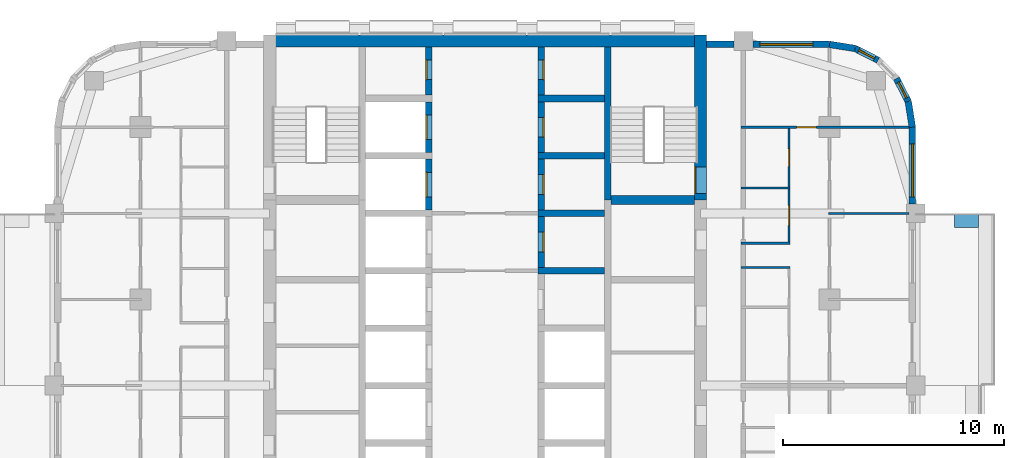
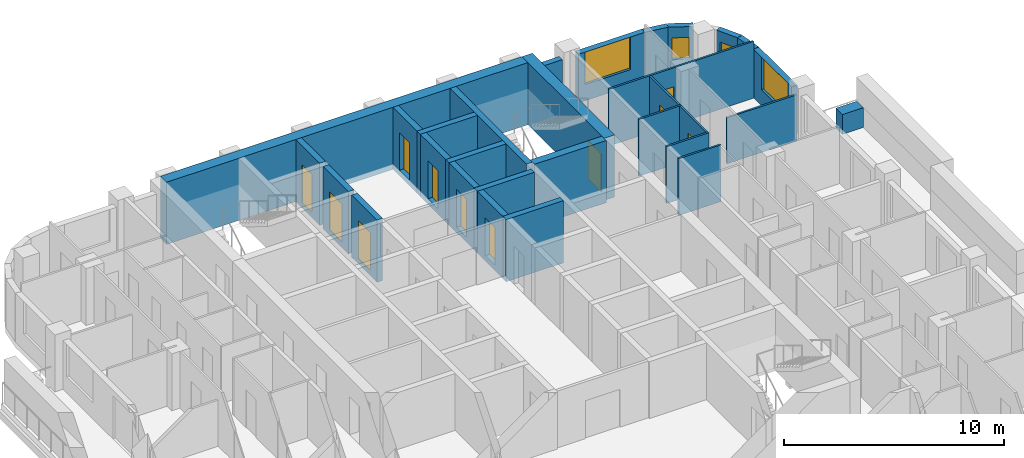
# One storey, part 9 of 14: 29 walls, 11 doors, 4 windows, 15 openings.
"""IFC4 building model written with IfcOpenShell, lengths in metres."""

import ifcopenshell
import ifcopenshell.guid

model = None  # the IFC model being written
_history = None  # IfcOwnerHistory: only IFC2X3 demands one
_inside = {}  # id of a spatial element -> (the spatial element, [elements in it])
_under = {}  # id of a project, library or spatial element -> (it, [spatial elements below it])
_declared = {}  # id of a project -> (the project, [libraries it declares])
_typed = {}  # id of a type object -> (the type object, [elements of that type])
_made_of = {}  # id of a material, layer set ... -> (it, [elements and type objects made of it])


def new_model(schema):
    """Start an empty IFC model of exactly this schema.

    Asked for "IFC4X3", IfcOpenShell would pick the latest addendum, in which some entities
    have other attributes; the version numbers below select the first issue.
    IFC2X3 requires an IfcOwnerHistory on every rooted entity: one is made here for all.
    """
    global model, _history
    if schema == "IFC4X3":
        model = ifcopenshell.file(schema_version=(4, 3, 0, 0))
    else:
        model = ifcopenshell.file(schema=schema)
    _inside.clear()
    _under.clear()
    _declared.clear()
    _typed.clear()
    _made_of.clear()
    _history = None
    if model.schema == "IFC2X3":
        org = make("IfcOrganization", Name="unknown")
        user = make(
            "IfcPersonAndOrganization",
            ThePerson=make("IfcPerson", FamilyName="unknown"),
            TheOrganization=org,
        )
        app = make(
            "IfcApplication",
            ApplicationDeveloper=org,
            Version="unknown",
            ApplicationFullName="unknown",
            ApplicationIdentifier="unknown",
        )
        _history = make(
            "IfcOwnerHistory",
            OwningUser=user,
            OwningApplication=app,
            ChangeAction="ADDED",
            CreationDate=0,
        )
    return model


def make(cls, **values):
    """One entity of the class cls with the attributes given. An attribute that is None is left unset."""
    return model.create_entity(
        cls, **{name: value for name, value in values.items() if value is not None}
    )


def rooted(cls, **values):
    """An entity with a GlobalId (a new one), such as an element, a storey or a relation."""
    return make(cls, GlobalId=ifcopenshell.guid.new(), OwnerHistory=_history, **values)


def si_unit(unit_type, name, prefix=None):
    """IfcSIUnit, for example si_unit("LENGTHUNIT", "METRE", prefix="MILLI")."""
    return make("IfcSIUnit", UnitType=unit_type, Prefix=prefix, Name=name)


def assignment(units):
    """IfcUnitAssignment: the units of a project."""
    return None if units is None else make("IfcUnitAssignment", Units=units)


def point(xyz):
    """IfcCartesianPoint."""
    return None if xyz is None else make("IfcCartesianPoint", Coordinates=xyz)


def direction(xyz):
    """IfcDirection."""
    return None if xyz is None else make("IfcDirection", DirectionRatios=xyz)


def frame(location, z_axis=None, x_axis=None):
    """IfcAxis2Placement3D, a coordinate frame: its origin and axes. An axis left out is left unset."""
    return make(
        "IfcAxis2Placement3D",
        Location=point(location),
        Axis=direction(z_axis),
        RefDirection=direction(x_axis),
    )


def frame_2d(location, x_axis=None):
    """IfcAxis2Placement2D, a coordinate frame in the plane: its origin and x axis."""
    return make(
        "IfcAxis2Placement2D", Location=point(location), RefDirection=direction(x_axis)
    )


def origin():
    """The frame at (0, 0, 0) with its axes left unset."""
    return frame((0.0, 0.0, 0.0))


def place(relative_to, where):
    """IfcLocalPlacement: puts the frame where relative to a parent placement (None: the world)."""
    return make(
        "IfcLocalPlacement", PlacementRelTo=relative_to, RelativePlacement=where
    )


def context(
    kind, dimensions, precision=None, world=None, true_north=None, identifier=None
):
    """IfcGeometricRepresentationContext, for example the 3D "Model" context."""
    return make(
        "IfcGeometricRepresentationContext",
        ContextIdentifier=identifier,
        ContextType=kind,
        CoordinateSpaceDimension=dimensions,
        Precision=precision,
        WorldCoordinateSystem=world,
        TrueNorth=true_north,
    )


def subcontext(parent, identifier, kind, view, scale=None):
    """IfcGeometricRepresentationSubContext, for example "Body" below "Model"."""
    return make(
        "IfcGeometricRepresentationSubContext",
        ContextIdentifier=identifier,
        ContextType=kind,
        ParentContext=parent,
        TargetScale=scale,
        TargetView=view,
    )


def project(units=None, contexts=None):
    """IfcProject with its units and contexts."""
    return rooted(
        "IfcProject",
        Name="project",
        RepresentationContexts=contexts,
        UnitsInContext=assignment(units),
    )


def spatial(cls, under=None, at=None, **own):
    """A site, building, storey or space (cls), placed at a placement, below another one or the project."""
    s = rooted(cls, ObjectPlacement=at, **own)
    if under is not None:
        _under.setdefault(under.id(), (under, []))[1].append(s)
    return s


def profile(cls, at=None, kind="AREA", **sizes):
    """A parametric profile (cls). Its sizes go by their IFC names, for example OverallWidth=200.0."""
    return make(cls, ProfileType=kind, Position=at, **sizes)


def rectangle(**sizes):
    """IfcRectangleProfileDef."""
    return profile("IfcRectangleProfileDef", **sizes)


def extrude(swept, where, along, depth):
    """IfcExtrudedAreaSolid: the profile swept, set in the frame where, extruded along a direction by depth."""
    return make(
        "IfcExtrudedAreaSolid",
        SweptArea=swept,
        Position=where,
        ExtrudedDirection=direction(along),
        Depth=depth,
    )


def shape(context_of_items, identifier, shape_type, items):
    """IfcShapeRepresentation: the items that make up one representation, for example the "Body"."""
    return make(
        "IfcShapeRepresentation",
        ContextOfItems=context_of_items,
        RepresentationIdentifier=identifier,
        RepresentationType=shape_type,
        Items=items,
    )


def material(Name=None, Category=None):
    """IfcMaterial."""
    return make("IfcMaterial", Name=Name, Category=Category)


def layer(
    of_material, thickness, ventilated=None, Name=None, Category=None, Priority=None
):
    """IfcMaterialLayer: one layer of a wall or slab, of a material (None: an air gap)."""
    return make(
        "IfcMaterialLayer",
        Material=of_material,
        LayerThickness=thickness,
        IsVentilated=ventilated,
        Name=Name,
        Category=Category,
        Priority=Priority,
    )


def layer_set(layers, Name=None):
    """IfcMaterialLayerSet."""
    return make("IfcMaterialLayerSet", MaterialLayers=layers, LayerSetName=Name)


def made_of(thing, what):
    """Note that an element or type object is made of a material, layer set ...; save() writes the relation."""
    if what is not None:
        _made_of.setdefault(what.id(), (what, []))[1].append(thing)
    return thing


def type_object(cls, material=None, **own):
    """A type object (cls), such as IfcWallType, which elements share."""
    return made_of(rooted(cls, **own), material)


def element(
    cls,
    number,
    at=None,
    inside=None,
    cuts=None,
    type_object=None,
    material=None,
    context=None,
    identifier="Body",
    shape_type=None,
    held_by="IfcProductDefinitionShape",
    body=None,
    shapes=None,
    **own,
):
    """One element of the class cls, such as IfcWall. Its Tag is "e" and its number.

    at: its placement. inside: the storey or other place that contains it. cuts: it is an
    opening in that element (IfcRelVoidsElement). A single representation is given by context,
    identifier, shape_type and body (its items); several are given by shapes. held_by: the class
    of the entity that holds the representations. save() writes the other relations.
    """
    e = rooted(cls, Tag="e%d" % number, ObjectPlacement=at, **own)
    if body is not None:
        shapes = [shape(context, identifier, shape_type, body)]
    if shapes is not None:
        e.Representation = make(held_by, Representations=shapes)
    if inside is not None:
        _inside.setdefault(inside.id(), (inside, []))[1].append(e)
    if cuts is not None:
        rooted(
            "IfcRelVoidsElement", RelatingBuildingElement=cuts, RelatedOpeningElement=e
        )
    if type_object is not None:
        _typed.setdefault(type_object.id(), (type_object, []))[1].append(e)
    return made_of(e, material)


def fill(opening, filler):
    """IfcRelFillsElement: the door or window that sits in an opening."""
    return rooted(
        "IfcRelFillsElement",
        RelatingOpeningElement=opening,
        RelatedBuildingElement=filler,
    )


def aggregate(whole, parts):
    """IfcRelAggregates: a whole, such as a stair, and the parts it consists of."""
    return rooted("IfcRelAggregates", RelatingObject=whole, RelatedObjects=parts)


def save(model, path):
    """Write the relations noted so far, then the file.

    IfcRelAggregates (storeys below a building ...), IfcRelContainedInSpatialStructure (elements
    in a storey), IfcRelDefinesByType, IfcRelAssociatesMaterial and IfcRelDeclares: one each for
    every whole, place, type object, material and project.
    """
    for whole, parts in _under.values():
        aggregate(whole, parts)
    for where, things in _inside.values():
        rooted(
            "IfcRelContainedInSpatialStructure",
            RelatedElements=things,
            RelatingStructure=where,
        )
    for kind, things in _typed.values():
        rooted("IfcRelDefinesByType", RelatedObjects=things, RelatingType=kind)
    for what, things in _made_of.values():
        rooted("IfcRelAssociatesMaterial", RelatedObjects=things, RelatingMaterial=what)
    for by, libraries in _declared.values():
        rooted("IfcRelDeclares", RelatingContext=by, RelatedDefinitions=libraries)
    model.write(path)


model = new_model("IFC4")

# Units and contexts
model_context = context("Model", 3, precision=1e-05, world=origin(), true_north=direction((0.0, 1.0)))
body_context = subcontext(model_context, "Body", "Model", "MODEL_VIEW")
ifc_project = project(units=[si_unit("LENGTHUNIT", "METRE"), si_unit("AREAUNIT", "SQUARE_METRE"), si_unit("VOLUMEUNIT", "CUBIC_METRE"), si_unit("PLANEANGLEUNIT", "RADIAN"), si_unit("MASSUNIT", "GRAM", prefix="KILO")], contexts=[model_context])

# Site, building, storey
site_placement = place(None, origin())
site = spatial("IfcSite", under=ifc_project, at=site_placement, CompositionType="ELEMENT")
building_placement = place(site_placement, origin())
building = spatial("IfcBuilding", under=site, at=building_placement, Name="Ludao Terraces", CompositionType="ELEMENT")
storey_placement = place(building_placement, frame((0.0, 0.0, 99.89990234375)))
storey = spatial("IfcBuildingStorey", under=building, at=storey_placement, Name="L27", CompositionType="ELEMENT", Elevation=99.89990234375)

# Wall, opening, door
ifc_material_1 = material(Name="Concrete C60", Category="concrete")
ifc_layer_1 = layer(ifc_material_1, 0.550048828125)
ifc_layer_set_1 = layer_set([ifc_layer_1], Name="Core wall 550 C60")
wall_type_1 = type_object("IfcWallType", Name="Core wall 550 C60", PredefinedType="SOLIDWALL", material=ifc_layer_set_1)
wall_1_placement = place(storey_placement, frame((94.75, 77.300048828125, -0.2998046875), z_axis=(0.0, 0.0, 1.0), x_axis=(0.0, 1.0, 0.0)))
wall_1 = element("IfcWall", 1, at=wall_1_placement, inside=storey, type_object=wall_type_1, Name="Core wall L27 outer-E-S2", PredefinedType="SOLIDWALL", context=body_context, shape_type="SweptSolid", body=[
    extrude(rectangle(XDim=7.474853515625, YDim=0.550048828125, at=frame_2d((3.7373046875, 0.0))), origin(), (0.0, 0.0, 1.0), 3.449951171875),
])
opening_1_placement = place(wall_1_placement, frame((0.300048828125, 0.0, 0.300048828125)))
opening_1 = element("IfcOpeningElement", 2, at=opening_1_placement, cuts=wall_1, Name="Opening R08-089", PredefinedType="OPENING", context=body_context, shape_type="SweptSolid", body=[
    extrude(rectangle(XDim=1.199951171875, YDim=2.10009765625, at=frame_2d((0.60009765625, 1.050048828125))), frame((0.0, 0.28515625, 0.0), z_axis=(0.0, -1.0, 0.0), x_axis=(1.0, 0.0, 0.0)), (0.0, 0.0, 1.0), 0.570068359375),
])
ifc_material_2 = material(Name="Steel Q235", Category="steel")
door_type_1 = type_object("IfcDoorType", Name="INT Stair door 1200", OperationType="DOUBLE_DOOR_SINGLE_SWING", PredefinedType="DOOR", material=ifc_material_2)
door_1_placement = place(opening_1_placement, origin())
door_1 = element("IfcDoor", 3, at=door_1_placement, inside=storey, type_object=door_type_1, Name="DOOR 089", OperationType="DOUBLE_DOOR_SINGLE_SWING", OverallHeight=2.10009765625, OverallWidth=1.199951171875, PredefinedType="DOOR", context=body_context, shape_type="SweptSolid", body=[
    extrude(rectangle(XDim=1.199951171875, YDim=2.10009765625, at=frame_2d((0.60009765625, 1.050048828125))), frame((0.0, 0.26025390625, 0.0), z_axis=(0.0, -1.0, 0.0), x_axis=(1.0, 0.0, 0.0)), (0.0, 0.0, 1.0), 0.050048828125),
])
fill(opening_1, door_1)

# Walls
wall_2_placement = place(storey_placement, frame((75.52490234375, 84.5, -0.2998046875), z_axis=(0.0, 0.0, 1.0), x_axis=(1.0, 0.0, 0.0)))
element("IfcWall", 4, at=wall_2_placement, inside=storey, type_object=wall_type_1, Name="Core wall L27 outer-N", PredefinedType="SOLIDWALL", context=body_context, shape_type="SweptSolid", body=[
    extrude(rectangle(XDim=18.9501953125, YDim=0.550048828125, at=frame_2d((9.47509765625, 0.0))), origin(), (0.0, 0.0, 1.0), 3.449951171875),
])
ifc_material_3 = material(Name="Concrete C40", Category="concrete")
ifc_layer_2 = layer(ifc_material_3, 0.60009765625)
ifc_layer_set_2 = layer_set([ifc_layer_2], Name="ENV Planter trough 600")
wall_type_2 = type_object("IfcWallType", Name="ENV Planter trough 600", PredefinedType="USERDEFINED", material=ifc_layer_set_2)
wall_3_placement = place(storey_placement, frame((107.35009765625, 76.35009765625, 0.0), z_axis=(0.0, 0.0, 1.0), x_axis=(-1.0, 0.0, 0.0)))
element("IfcWall", 5, at=wall_3_placement, inside=storey, type_object=wall_type_2, Name="PL-L27-E3-SB", ObjectType="PLANTER", PredefinedType="USERDEFINED", context=body_context, shape_type="SweptSolid", body=[
    extrude(rectangle(XDim=1.10009765625, YDim=0.60009765625, at=frame_2d((0.550048828125, 0.0))), origin(), (0.0, 0.0, 1.0), 1.10009765625),
])

# Wall, opening, window
ifc_material_4 = material(Name="Granite cladding", Category="masonry")
ifc_layer_3 = layer(ifc_material_4, 0.0400390625, Category="stone")
ifc_material_5 = material(Name="Mineral wool")
ifc_layer_4 = layer(ifc_material_5, 0.06005859375)
ifc_layer_5 = layer(ifc_material_3, 0.199951171875, Category="concrete")
ifc_layer_set_3 = layer_set([ifc_layer_3, ifc_layer_4, ifc_layer_5], Name="ENV Stone-clad wall 300")
wall_type_3 = type_object("IfcWallType", Name="ENV Stone-clad wall 300", PredefinedType="SOLIDWALL", material=ifc_layer_set_3)
wall_4_placement = place(storey_placement, frame((104.35009765625, 77.125, 0.0), z_axis=(0.0, 0.0, 1.0), x_axis=(0.0, 1.0, 0.0)))
wall_4 = element("IfcWall", 6, at=wall_4_placement, inside=storey, type_object=wall_type_3, Name="EW-L27-E5", PredefinedType="SOLIDWALL", context=body_context, shape_type="SweptSolid", body=[
    extrude(rectangle(XDim=3.47509765625, YDim=0.300048828125, at=frame_2d((1.737548828125, 0.0))), origin(), (0.0, 0.0, 1.0), 2.7001953125),
])
opening_2_placement = place(wall_4_placement, frame((0.324951171875, 0.0, 0.89990234375)))
opening_2 = element("IfcOpeningElement", 7, at=opening_2_placement, cuts=wall_4, Name="Opening W1", PredefinedType="OPENING", context=body_context, shape_type="SweptSolid", body=[
    extrude(rectangle(XDim=2.39990234375, YDim=1.800048828125, at=frame_2d((1.199951171875, 0.89990234375))), frame((0.0, 0.16015625, 0.0), z_axis=(0.0, -1.0, 0.0), x_axis=(1.0, 0.0, 0.0)), (0.0, 0.0, 1.0), 0.320068359375),
])
ifc_material_6 = material(Name="Clear glass in aluminium frame", Category="aluminium")
ifc_layer_6 = layer(ifc_material_6, 0.06005859375)
ifc_layer_set_4 = layer_set([ifc_layer_6], Name="ENV Window W1 2400x1800")
window_type_1 = type_object("IfcWindowType", Name="ENV Window W1 2400x1800", PartitioningType="DOUBLE_PANEL_VERTICAL", PredefinedType="WINDOW", material=ifc_layer_set_4)
window_1_placement = place(opening_2_placement, origin())
window_1 = element("IfcWindow", 8, at=window_1_placement, inside=storey, type_object=window_type_1, Name="W-L27-E5-1", OverallHeight=1.800048828125, OverallWidth=2.39990234375, PartitioningType="DOUBLE_PANEL_VERTICAL", PredefinedType="WINDOW", context=body_context, shape_type="SweptSolid", body=[
    extrude(rectangle(XDim=2.39990234375, YDim=1.800048828125, at=frame_2d((1.199951171875, 0.89990234375))), frame((0.0, 0.030029296875, 0.0), z_axis=(0.0, -1.0, 0.0), x_axis=(1.0, 0.0, 0.0)), (0.0, 0.0, 1.0), 0.06005859375),
])
fill(opening_2, window_1)

# Wall
wall_5_placement = place(storey_placement, frame((95.02490234375, 84.35009765625, 0.0), z_axis=(0.0, 0.0, 1.0), x_axis=(1.0, 0.0, 0.0)))
element("IfcWall", 9, at=wall_5_placement, inside=storey, type_object=wall_type_3, Name="EW-L27-N3", PredefinedType="SOLIDWALL", context=body_context, shape_type="SweptSolid", body=[
    extrude(rectangle(XDim=1.25, YDim=0.300048828125, at=frame_2d((0.625, 0.0))), origin(), (0.0, 0.0, 1.0), 2.7001953125),
])

# Wall, opening, window
wall_6_placement = place(storey_placement, frame((97.125, 84.35009765625, 0.0), z_axis=(0.0, 0.0, 1.0), x_axis=(1.0, 0.0, 0.0)))
wall_6 = element("IfcWall", 10, at=wall_6_placement, inside=storey, type_object=wall_type_3, Name="EW-L27-N4", PredefinedType="SOLIDWALL", context=body_context, shape_type="SweptSolid", body=[
    extrude(rectangle(XDim=3.47509765625, YDim=0.300048828125, at=frame_2d((1.737548828125, 0.0))), origin(), (0.0, 0.0, 1.0), 2.7001953125),
])
opening_3_placement = place(wall_6_placement, frame((0.324951171875, 0.0, 0.89990234375)))
opening_3 = element("IfcOpeningElement", 11, at=opening_3_placement, cuts=wall_6, Name="Opening W1", PredefinedType="OPENING", context=body_context, shape_type="SweptSolid", body=[
    extrude(rectangle(XDim=2.39990234375, YDim=1.800048828125, at=frame_2d((1.199951171875, 0.89990234375))), frame((0.0, 0.16015625, 0.0), z_axis=(0.0, -1.0, 0.0), x_axis=(1.0, 0.0, 0.0)), (0.0, 0.0, 1.0), 0.320068359375),
])
window_2_placement = place(opening_3_placement, origin())
window_2 = element("IfcWindow", 12, at=window_2_placement, inside=storey, type_object=window_type_1, Name="W-L27-N4-1", OverallHeight=1.800048828125, OverallWidth=2.39990234375, PartitioningType="DOUBLE_PANEL_VERTICAL", PredefinedType="WINDOW", context=body_context, shape_type="SweptSolid", body=[
    extrude(rectangle(XDim=2.39990234375, YDim=1.800048828125, at=frame_2d((1.199951171875, 0.89990234375))), frame((0.0, 0.030029296875, 0.0), z_axis=(0.0, -1.0, 0.0), x_axis=(1.0, 0.0, 0.0)), (0.0, 0.0, 1.0), 0.06005859375),
])
fill(opening_3, window_2)

# Wall
wall_7_placement = place(storey_placement, frame((104.35009765625, 80.60009765625, 0.0), z_axis=(0.0, 0.0, 1.0), x_axis=(-0.156496880861, 0.987678452879, 0.0)))
element("IfcWall", 13, at=wall_7_placement, inside=storey, type_object=wall_type_3, Name="EW-L27-NE1", PredefinedType="SOLIDWALL", context=body_context, shape_type="SweptSolid", body=[
    extrude(rectangle(XDim=1.173095703125, YDim=0.300048828125, at=frame_2d((0.58642578125, 0.0))), origin(), (0.0, 0.0, 1.0), 2.7001953125),
])

# Wall, opening, window
wall_8_placement = place(storey_placement, frame((104.16650390625, 81.7587890625, 0.0), z_axis=(0.0, 0.0, 1.0), x_axis=(-0.454025524128, 0.890988677504, 0.0)))
wall_8 = element("IfcWall", 14, at=wall_8_placement, inside=storey, type_object=wall_type_3, Name="EW-L27-NE2", PredefinedType="SOLIDWALL", context=body_context, shape_type="SweptSolid", body=[
    extrude(rectangle(XDim=1.17333984375, YDim=0.300048828125, at=frame_2d((0.586669921875, 0.0))), origin(), (0.0, 0.0, 1.0), 2.7001953125),
])
opening_4_placement = place(wall_8_placement, frame((0.1865234375, 0.0, 0.89990234375)))
opening_4 = element("IfcOpeningElement", 15, at=opening_4_placement, cuts=wall_8, Name="Opening W3", PredefinedType="OPENING", context=body_context, shape_type="SweptSolid", body=[
    extrude(rectangle(XDim=0.800048828125, YDim=1.199951171875, at=frame_2d((0.39990234375, 0.60009765625))), frame((0.0, 0.16015625, 0.0), z_axis=(0.0, -1.0, 0.0), x_axis=(1.0, 0.0, 0.0)), (0.0, 0.0, 1.0), 0.320068359375),
])
ifc_layer_7 = layer(ifc_material_6, 0.06005859375)
ifc_layer_set_5 = layer_set([ifc_layer_7], Name="ENV Window W3 800x1200")
window_type_2 = type_object("IfcWindowType", Name="ENV Window W3 800x1200", PartitioningType="SINGLE_PANEL", PredefinedType="WINDOW", material=ifc_layer_set_5)
window_3_placement = place(opening_4_placement, origin())
window_3 = element("IfcWindow", 16, at=window_3_placement, inside=storey, type_object=window_type_2, Name="W-L27-NE2", OverallHeight=1.199951171875, OverallWidth=0.800048828125, PartitioningType="SINGLE_PANEL", PredefinedType="WINDOW", context=body_context, shape_type="SweptSolid", body=[
    extrude(rectangle(XDim=0.800048828125, YDim=1.199951171875, at=frame_2d((0.39990234375, 0.60009765625))), frame((0.0, 0.030029296875, 0.0), z_axis=(0.0, -1.0, 0.0), x_axis=(1.0, 0.0, 0.0)), (0.0, 0.0, 1.0), 0.06005859375),
])
fill(opening_4, window_3)

wall_9_placement = place(storey_placement, frame((102.80419921875, 83.6337890625, 0.0), z_axis=(0.0, 0.0, 1.0), x_axis=(-0.890988677504, 0.454025524128, 0.0)))
wall_9 = element("IfcWall", 17, at=wall_9_placement, inside=storey, type_object=wall_type_3, Name="EW-L27-NE4", PredefinedType="SOLIDWALL", context=body_context, shape_type="SweptSolid", body=[
    extrude(rectangle(XDim=1.17333984375, YDim=0.300048828125, at=frame_2d((0.586669921875, 0.0))), origin(), (0.0, 0.0, 1.0), 2.7001953125),
])
opening_5_placement = place(wall_9_placement, frame((0.1865234375, 0.0, 0.89990234375)))
opening_5 = element("IfcOpeningElement", 18, at=opening_5_placement, cuts=wall_9, Name="Opening W3", PredefinedType="OPENING", context=body_context, shape_type="SweptSolid", body=[
    extrude(rectangle(XDim=0.800048828125, YDim=1.199951171875, at=frame_2d((0.39990234375, 0.60009765625))), frame((0.0, 0.16015625, 0.0), z_axis=(0.0, -1.0, 0.0), x_axis=(1.0, 0.0, 0.0)), (0.0, 0.0, 1.0), 0.320068359375),
])
window_4_placement = place(opening_5_placement, origin())
window_4 = element("IfcWindow", 19, at=window_4_placement, inside=storey, type_object=window_type_2, Name="W-L27-NE4", OverallHeight=1.199951171875, OverallWidth=0.800048828125, PartitioningType="SINGLE_PANEL", PredefinedType="WINDOW", context=body_context, shape_type="SweptSolid", body=[
    extrude(rectangle(XDim=0.800048828125, YDim=1.199951171875, at=frame_2d((0.39990234375, 0.60009765625))), frame((0.0, 0.030029296875, 0.0), z_axis=(0.0, -1.0, 0.0), x_axis=(1.0, 0.0, 0.0)), (0.0, 0.0, 1.0), 0.06005859375),
])
fill(opening_5, window_4)

# Walls
wall_10_placement = place(storey_placement, frame((101.7587890625, 84.16650390625, 0.0), z_axis=(0.0, 0.0, 1.0), x_axis=(-0.987678452879, 0.156496880861, 0.0)))
element("IfcWall", 20, at=wall_10_placement, inside=storey, type_object=wall_type_3, Name="EW-L27-NE5", PredefinedType="SOLIDWALL", context=body_context, shape_type="SweptSolid", body=[
    extrude(rectangle(XDim=1.173095703125, YDim=0.300048828125, at=frame_2d((0.58642578125, 0.0))), origin(), (0.0, 0.0, 1.0), 2.7001953125),
])
ifc_material_7 = material(Name="Gypsum plasterboard", Category="gypsum")
ifc_layer_8 = layer(ifc_material_7, 0.012451171875, Category="gypsum")
ifc_layer_9 = layer(ifc_material_5, 0.06005859375, Name="insulation")
ifc_layer_10 = layer(ifc_material_2, 0.014892578125, Name="stud")
ifc_layer_11 = layer(ifc_material_7, 0.012451171875, Category="gypsum")
ifc_layer_set_6 = layer_set([ifc_layer_8, ifc_layer_9, ifc_layer_10, ifc_layer_11], Name="INT Partition 100")
wall_type_4 = type_object("IfcWallType", Name="INT Partition 100", PredefinedType="PARTITIONING", material=ifc_layer_set_6)
for number, where, z_axis, x_axis, name in (
    (21, (96.60009765625, 74.25, 0.0), (0.0, 0.0, 1.0), (1.0, 0.0, 0.0), "PW-L27-PW040"),
    (22, (96.60009765625, 75.35009765625, 0.0), (0.0, 0.0, 1.0), (1.0, 0.0, 0.0), "PW-L27-PW041"),
):
    element("IfcWall", number, at=place(storey_placement, frame(where, z_axis=z_axis, x_axis=x_axis)), inside=storey, type_object=wall_type_4, Name=name, PredefinedType="PARTITIONING", context=body_context, shape_type="SweptSolid", body=[
        extrude(rectangle(XDim=2.219970703125, YDim=0.10009765625, at=frame_2d((1.10986328125, 0.0))), origin(), (0.0, 0.0, 1.0), 3.150146484375),
    ])
wall_11_placement = place(storey_placement, frame((100.550048828125, 76.699951171875, 0.0), z_axis=(0.0, 0.0, 1.0), x_axis=(1.0, 0.0, 0.0)))
element("IfcWall", 23, at=wall_11_placement, inside=storey, type_object=wall_type_4, Name="PW-L27-PW045", PredefinedType="PARTITIONING", context=body_context, shape_type="SweptSolid", body=[
    extrude(rectangle(XDim=3.650146484375, YDim=0.10009765625, at=frame_2d((1.8251953125, 0.0))), origin(), (0.0, 0.0, 1.0), 2.550048828125),
])
wall_12_placement = place(storey_placement, frame((96.60009765625, 77.85009765625, 0.0), z_axis=(0.0, 0.0, 1.0), x_axis=(1.0, 0.0, 0.0)))
element("IfcWall", 24, at=wall_12_placement, inside=storey, type_object=wall_type_4, Name="PW-L27-PW046", PredefinedType="PARTITIONING", context=body_context, shape_type="SweptSolid", body=[
    extrude(rectangle(XDim=2.219970703125, YDim=0.10009765625, at=frame_2d((1.10986328125, 0.0))), origin(), (0.0, 0.0, 1.0), 3.150146484375),
])

# Wall, opening, door
wall_13_placement = place(storey_placement, frame((96.60009765625, 80.60009765625, 0.0), z_axis=(0.0, 0.0, 1.0), x_axis=(1.0, 0.0, 0.0)))
wall_13 = element("IfcWall", 25, at=wall_13_placement, inside=storey, type_object=wall_type_4, Name="PW-L27-PW049", PredefinedType="PARTITIONING", context=body_context, shape_type="SweptSolid", body=[
    extrude(rectangle(XDim=7.60009765625, YDim=0.10009765625, at=frame_2d((3.800048828125, 0.0))), origin(), (0.0, 0.0, 1.0), 3.150146484375),
])
opening_6_placement = place(wall_13_placement, frame((2.510009765625, 0.0, 0.0)))
opening_6 = element("IfcOpeningElement", 26, at=opening_6_placement, cuts=wall_13, Name="Opening R08-097", PredefinedType="OPENING", context=body_context, shape_type="SweptSolid", body=[
    extrude(rectangle(XDim=0.89990234375, YDim=2.10009765625, at=frame_2d((0.449951171875, 1.050048828125))), frame((0.0, 0.06005859375, 0.0), z_axis=(0.0, -1.0, 0.0), x_axis=(1.0, 0.0, 0.0)), (0.0, 0.0, 1.0), 0.1201171875),
])
ifc_material_8 = material(Name="Timber door leaf", Category="wood")
door_type_2 = type_object("IfcDoorType", Name="INT Room door 900", OperationType="SINGLE_SWING_LEFT", PredefinedType="DOOR", material=ifc_material_8)
door_2_placement = place(opening_6_placement, origin())
door_2 = element("IfcDoor", 27, at=door_2_placement, inside=storey, type_object=door_type_2, Name="DOOR 097", OperationType="SINGLE_SWING_RIGHT", OverallHeight=2.10009765625, OverallWidth=0.89990234375, PredefinedType="DOOR", context=body_context, shape_type="SweptSolid", body=[
    extrude(rectangle(XDim=0.89990234375, YDim=2.10009765625, at=frame_2d((0.449951171875, 1.050048828125))), frame((0.0, 0.02490234375, 0.0), z_axis=(0.0, -1.0, 0.0), x_axis=(1.0, 0.0, 0.0)), (0.0, 0.0, 1.0), 0.050048828125),
])
fill(opening_6, door_2)

# Wall, openings, doors
wall_14_placement = place(storey_placement, frame((98.77001953125, 75.400146484375, 0.0), z_axis=(0.0, 0.0, 1.0), x_axis=(0.0, 1.0, 0.0)))
wall_14 = element("IfcWall", 28, at=wall_14_placement, inside=storey, type_object=wall_type_4, Name="PW-L27-PW076", PredefinedType="PARTITIONING", context=body_context, shape_type="SweptSolid", body=[
    extrude(rectangle(XDim=5.14990234375, YDim=0.10009765625, at=frame_2d((2.574951171875, 0.0))), origin(), (0.0, 0.0, 1.0), 3.150146484375),
])
opening_7_placement = place(wall_14_placement, frame((0.75, 0.0, 0.0)))
opening_7 = element("IfcOpeningElement", 29, at=opening_7_placement, cuts=wall_14, Name="Opening R08-083", PredefinedType="OPENING", context=body_context, shape_type="SweptSolid", body=[
    extrude(rectangle(XDim=0.89990234375, YDim=2.10009765625, at=frame_2d((0.449951171875, 1.050048828125))), frame((0.0, 0.06005859375, 0.0), z_axis=(0.0, -1.0, 0.0), x_axis=(1.0, 0.0, 0.0)), (0.0, 0.0, 1.0), 0.1201171875),
])
opening_8_placement = place(wall_14_placement, frame((3.425048828125, 0.0, 0.0)))
opening_8 = element("IfcOpeningElement", 30, at=opening_8_placement, cuts=wall_14, Name="Opening R08-092", PredefinedType="OPENING", context=body_context, shape_type="SweptSolid", body=[
    extrude(rectangle(XDim=0.800048828125, YDim=2.10009765625, at=frame_2d((0.39990234375, 1.050048828125))), frame((0.0, 0.06005859375, 0.0), z_axis=(0.0, -1.0, 0.0), x_axis=(1.0, 0.0, 0.0)), (0.0, 0.0, 1.0), 0.1201171875),
])
door_type_3 = type_object("IfcDoorType", Name="INT Bathroom door 900", OperationType="SINGLE_SWING_LEFT", PredefinedType="DOOR", material=ifc_material_8)
door_3_placement = place(opening_7_placement, origin())
door_3 = element("IfcDoor", 31, at=door_3_placement, inside=storey, type_object=door_type_3, Name="DOOR 083", OperationType="SINGLE_SWING_LEFT", OverallHeight=2.10009765625, OverallWidth=0.89990234375, PredefinedType="DOOR", context=body_context, shape_type="SweptSolid", body=[
    extrude(rectangle(XDim=0.89990234375, YDim=2.10009765625, at=frame_2d((0.449951171875, 1.050048828125))), frame((0.0, 0.02490234375, 0.0), z_axis=(0.0, -1.0, 0.0), x_axis=(1.0, 0.0, 0.0)), (0.0, 0.0, 1.0), 0.050048828125),
])
fill(opening_7, door_3)
door_type_4 = type_object("IfcDoorType", Name="INT Store door 800", OperationType="SINGLE_SWING_LEFT", PredefinedType="DOOR", material=ifc_material_8)
door_4_placement = place(opening_8_placement, origin())
door_4 = element("IfcDoor", 32, at=door_4_placement, inside=storey, type_object=door_type_4, Name="DOOR 092", OperationType="SINGLE_SWING_RIGHT", OverallHeight=2.10009765625, OverallWidth=0.800048828125, PredefinedType="DOOR", context=body_context, shape_type="SweptSolid", body=[
    extrude(rectangle(XDim=0.800048828125, YDim=2.10009765625, at=frame_2d((0.39990234375, 1.050048828125))), frame((0.0, 0.02490234375, 0.0), z_axis=(0.0, -1.0, 0.0), x_axis=(1.0, 0.0, 0.0)), (0.0, 0.0, 1.0), 0.050048828125),
])
fill(opening_8, door_4)

# Wall
ifc_material_9 = material(Name="Concrete C55", Category="concrete")
ifc_layer_12 = layer(ifc_material_9, 0.300048828125)
ifc_layer_set_7 = layer_set([ifc_layer_12], Name="Shaft wall 300 C55")
wall_type_5 = type_object("IfcWallType", Name="Shaft wall 300 C55", PredefinedType="SOLIDWALL", material=ifc_layer_set_7)
wall_15_placement = place(storey_placement, frame((90.550048828125, 77.300048828125, -0.2998046875), z_axis=(0.0, 0.0, 1.0), x_axis=(0.0, 1.0, 0.0)))
element("IfcWall", 33, at=wall_15_placement, inside=storey, type_object=wall_type_5, Name="Core wall L27 back-E-S2", PredefinedType="SOLIDWALL", context=body_context, shape_type="SweptSolid", body=[
    extrude(rectangle(XDim=6.925048828125, YDim=0.300048828125, at=frame_2d((3.46240234375, 0.0))), origin(), (0.0, 0.0, 1.0), 3.449951171875),
])

# Wall, opening, door
wall_16_placement = place(storey_placement, frame((82.449951171875, 76.85009765625, -0.2998046875), z_axis=(0.0, 0.0, 1.0), x_axis=(0.0, 1.0, 0.0)))
wall_16 = element("IfcWall", 34, at=wall_16_placement, inside=storey, type_object=wall_type_5, Name="Core wall L27 front-W7", PredefinedType="SOLIDWALL", context=body_context, shape_type="SweptSolid", body=[
    extrude(rectangle(XDim=2.2998046875, YDim=0.300048828125, at=frame_2d((1.14990234375, 0.0))), origin(), (0.0, 0.0, 1.0), 3.449951171875),
])
opening_9_placement = place(wall_16_placement, frame((0.60009765625, 0.0, 0.300048828125)))
opening_9 = element("IfcOpeningElement", 35, at=opening_9_placement, cuts=wall_16, Name="Opening LD-FF1", PredefinedType="OPENING", context=body_context, shape_type="SweptSolid", body=[
    extrude(rectangle(XDim=1.10009765625, YDim=2.10009765625, at=frame_2d((0.550048828125, 1.050048828125))), frame((0.0, 0.16015625, 0.0), z_axis=(0.0, -1.0, 0.0), x_axis=(1.0, 0.0, 0.0)), (0.0, 0.0, 1.0), 0.320068359375),
])
ifc_material_10 = material(Name="Stainless steel 304", Category="steel")
door_type_5 = type_object("IfcDoorType", Name="INT Lift landing door 1100", OperationType="SLIDING_TO_LEFT", PredefinedType="DOOR", material=ifc_material_10)
door_5_placement = place(opening_9_placement, origin())
door_5 = element("IfcDoor", 36, at=door_5_placement, inside=storey, type_object=door_type_5, Name="LANDING DOOR FF1 L27", OperationType="SLIDING_TO_LEFT", OverallHeight=2.10009765625, OverallWidth=1.10009765625, PredefinedType="DOOR", context=body_context, shape_type="SweptSolid", body=[
    extrude(rectangle(XDim=1.10009765625, YDim=2.10009765625, at=frame_2d((0.550048828125, 1.050048828125))), frame((0.0, 0.13525390625, 0.0), z_axis=(0.0, -1.0, 0.0), x_axis=(1.0, 0.0, 0.0)), (0.0, 0.0, 1.0), 0.050048828125),
])
fill(opening_9, door_5)

wall_17_placement = place(storey_placement, frame((82.449951171875, 79.449951171875, -0.2998046875), z_axis=(0.0, 0.0, 1.0), x_axis=(0.0, 1.0, 0.0)))
wall_17 = element("IfcWall", 37, at=wall_17_placement, inside=storey, type_object=wall_type_5, Name="Core wall L27 front-W8", PredefinedType="SOLIDWALL", context=body_context, shape_type="SweptSolid", body=[
    extrude(rectangle(XDim=2.300048828125, YDim=0.300048828125, at=frame_2d((1.14990234375, 0.0))), origin(), (0.0, 0.0, 1.0), 3.449951171875),
])
opening_10_placement = place(wall_17_placement, frame((0.60009765625, 0.0, 0.300048828125)))
opening_10 = element("IfcOpeningElement", 38, at=opening_10_placement, cuts=wall_17, Name="Opening LD-FF2", PredefinedType="OPENING", context=body_context, shape_type="SweptSolid", body=[
    extrude(rectangle(XDim=1.10009765625, YDim=2.10009765625, at=frame_2d((0.550048828125, 1.050048828125))), frame((0.0, 0.16015625, 0.0), z_axis=(0.0, -1.0, 0.0), x_axis=(1.0, 0.0, 0.0)), (0.0, 0.0, 1.0), 0.320068359375),
])
door_6_placement = place(opening_10_placement, origin())
door_6 = element("IfcDoor", 39, at=door_6_placement, inside=storey, type_object=door_type_5, Name="LANDING DOOR FF2 L27", OperationType="SLIDING_TO_LEFT", OverallHeight=2.10009765625, OverallWidth=1.10009765625, PredefinedType="DOOR", context=body_context, shape_type="SweptSolid", body=[
    extrude(rectangle(XDim=1.10009765625, YDim=2.10009765625, at=frame_2d((0.550048828125, 1.050048828125))), frame((0.0, 0.13525390625, 0.0), z_axis=(0.0, -1.0, 0.0), x_axis=(1.0, 0.0, 0.0)), (0.0, 0.0, 1.0), 0.050048828125),
])
fill(opening_10, door_6)

wall_18_placement = place(storey_placement, frame((82.449951171875, 82.050048828125, -0.2998046875), z_axis=(0.0, 0.0, 1.0), x_axis=(0.0, 1.0, 0.0)))
wall_18 = element("IfcWall", 40, at=wall_18_placement, inside=storey, type_object=wall_type_5, Name="Core wall L27 front-W9", PredefinedType="SOLIDWALL", context=body_context, shape_type="SweptSolid", body=[
    extrude(rectangle(XDim=2.175048828125, YDim=0.300048828125, at=frame_2d((1.08740234375, 0.0))), origin(), (0.0, 0.0, 1.0), 3.449951171875),
])
opening_11_placement = place(wall_18_placement, frame((0.699951171875, 0.0, 0.300048828125)))
opening_11 = element("IfcOpeningElement", 41, at=opening_11_placement, cuts=wall_18, Name="Opening R08-100", PredefinedType="OPENING", context=body_context, shape_type="SweptSolid", body=[
    extrude(rectangle(XDim=0.89990234375, YDim=2.10009765625, at=frame_2d((0.449951171875, 1.050048828125))), frame((0.0, 0.16015625, 0.0), z_axis=(0.0, -1.0, 0.0), x_axis=(1.0, 0.0, 0.0)), (0.0, 0.0, 1.0), 0.320068359375),
])
door_7_placement = place(opening_11_placement, origin())
door_7 = element("IfcDoor", 42, at=door_7_placement, inside=storey, type_object=door_type_2, Name="DOOR 100", OperationType="SINGLE_SWING_RIGHT", OverallHeight=2.10009765625, OverallWidth=0.89990234375, PredefinedType="DOOR", context=body_context, shape_type="SweptSolid", body=[
    extrude(rectangle(XDim=0.89990234375, YDim=2.10009765625, at=frame_2d((0.449951171875, 1.050048828125))), frame((0.0, 0.13525390625, 0.0), z_axis=(0.0, -1.0, 0.0), x_axis=(1.0, 0.0, 0.0)), (0.0, 0.0, 1.0), 0.050048828125),
])
fill(opening_11, door_7)

# Wall
wall_19_placement = place(storey_placement, frame((87.39990234375, 74.10009765625, -0.2998046875), z_axis=(0.0, 0.0, 1.0), x_axis=(1.0, 0.0, 0.0)))
element("IfcWall", 43, at=wall_19_placement, inside=storey, type_object=wall_type_5, Name="Core wall L27 div-E6", PredefinedType="SOLIDWALL", context=body_context, shape_type="SweptSolid", body=[
    extrude(rectangle(XDim=3.0, YDim=0.300048828125, at=frame_2d((1.5, 0.0))), origin(), (0.0, 0.0, 1.0), 3.449951171875),
])

# Wall, opening, door
wall_20_placement = place(storey_placement, frame((87.550048828125, 74.25, -0.2998046875), z_axis=(0.0, 0.0, 1.0), x_axis=(0.0, 1.0, 0.0)))
wall_20 = element("IfcWall", 44, at=wall_20_placement, inside=storey, type_object=wall_type_5, Name="Core wall L27 front-E6", PredefinedType="SOLIDWALL", context=body_context, shape_type="SweptSolid", body=[
    extrude(rectangle(XDim=2.300048828125, YDim=0.300048828125, at=frame_2d((1.14990234375, 0.0))), origin(), (0.0, 0.0, 1.0), 3.449951171875),
])
opening_12_placement = place(wall_20_placement, frame((0.699951171875, 0.0, 0.300048828125)))
opening_12 = element("IfcOpeningElement", 45, at=opening_12_placement, cuts=wall_20, Name="Opening R08-079", PredefinedType="OPENING", context=body_context, shape_type="SweptSolid", body=[
    extrude(rectangle(XDim=0.89990234375, YDim=2.10009765625, at=frame_2d((0.449951171875, 1.050048828125))), frame((0.0, 0.16015625, 0.0), z_axis=(0.0, -1.0, 0.0), x_axis=(1.0, 0.0, 0.0)), (0.0, 0.0, 1.0), 0.320068359375),
])
door_8_placement = place(opening_12_placement, origin())
door_8 = element("IfcDoor", 46, at=door_8_placement, inside=storey, type_object=door_type_2, Name="DOOR 079", OperationType="SINGLE_SWING_LEFT", OverallHeight=2.10009765625, OverallWidth=0.89990234375, PredefinedType="DOOR", context=body_context, shape_type="SweptSolid", body=[
    extrude(rectangle(XDim=0.89990234375, YDim=2.10009765625, at=frame_2d((0.449951171875, 1.050048828125))), frame((0.0, -0.0849609375, 0.0), z_axis=(0.0, -1.0, 0.0), x_axis=(1.0, 0.0, 0.0)), (0.0, 0.0, 1.0), 0.050048828125),
])
fill(opening_12, door_8)

# Wall
wall_21_placement = place(storey_placement, frame((87.39990234375, 76.699951171875, -0.2998046875), z_axis=(0.0, 0.0, 1.0), x_axis=(1.0, 0.0, 0.0)))
element("IfcWall", 47, at=wall_21_placement, inside=storey, type_object=wall_type_5, Name="Core wall L27 div-E7", PredefinedType="SOLIDWALL", context=body_context, shape_type="SweptSolid", body=[
    extrude(rectangle(XDim=3.0, YDim=0.300048828125, at=frame_2d((1.5, 0.0))), origin(), (0.0, 0.0, 1.0), 3.449951171875),
])

# Wall, opening, door
wall_22_placement = place(storey_placement, frame((87.550048828125, 76.85009765625, -0.2998046875), z_axis=(0.0, 0.0, 1.0), x_axis=(0.0, 1.0, 0.0)))
wall_22 = element("IfcWall", 48, at=wall_22_placement, inside=storey, type_object=wall_type_5, Name="Core wall L27 front-E7", PredefinedType="SOLIDWALL", context=body_context, shape_type="SweptSolid", body=[
    extrude(rectangle(XDim=2.2998046875, YDim=0.300048828125, at=frame_2d((1.14990234375, 0.0))), origin(), (0.0, 0.0, 1.0), 3.449951171875),
])
opening_13_placement = place(wall_22_placement, frame((0.699951171875, 0.0, 0.300048828125)))
opening_13 = element("IfcOpeningElement", 49, at=opening_13_placement, cuts=wall_22, Name="Opening R08-087", PredefinedType="OPENING", context=body_context, shape_type="SweptSolid", body=[
    extrude(rectangle(XDim=0.89990234375, YDim=2.10009765625, at=frame_2d((0.449951171875, 1.050048828125))), frame((0.0, 0.16015625, 0.0), z_axis=(0.0, -1.0, 0.0), x_axis=(1.0, 0.0, 0.0)), (0.0, 0.0, 1.0), 0.320068359375),
])
door_9_placement = place(opening_13_placement, origin())
door_9 = element("IfcDoor", 50, at=door_9_placement, inside=storey, type_object=door_type_2, Name="DOOR 087", OperationType="SINGLE_SWING_RIGHT", OverallHeight=2.10009765625, OverallWidth=0.89990234375, PredefinedType="DOOR", context=body_context, shape_type="SweptSolid", body=[
    extrude(rectangle(XDim=0.89990234375, YDim=2.10009765625, at=frame_2d((0.449951171875, 1.050048828125))), frame((0.0, -0.0849609375, 0.0), z_axis=(0.0, -1.0, 0.0), x_axis=(1.0, 0.0, 0.0)), (0.0, 0.0, 1.0), 0.050048828125),
])
fill(opening_13, door_9)

# Wall
wall_23_placement = place(storey_placement, frame((87.39990234375, 79.300048828125, -0.2998046875), z_axis=(0.0, 0.0, 1.0), x_axis=(1.0, 0.0, 0.0)))
element("IfcWall", 51, at=wall_23_placement, inside=storey, type_object=wall_type_5, Name="Core wall L27 div-E8", PredefinedType="SOLIDWALL", context=body_context, shape_type="SweptSolid", body=[
    extrude(rectangle(XDim=3.0, YDim=0.300048828125, at=frame_2d((1.5, 0.0))), origin(), (0.0, 0.0, 1.0), 3.449951171875),
])

# Wall, opening, door
wall_24_placement = place(storey_placement, frame((87.550048828125, 79.449951171875, -0.2998046875), z_axis=(0.0, 0.0, 1.0), x_axis=(0.0, 1.0, 0.0)))
wall_24 = element("IfcWall", 52, at=wall_24_placement, inside=storey, type_object=wall_type_5, Name="Core wall L27 front-E8", PredefinedType="SOLIDWALL", context=body_context, shape_type="SweptSolid", body=[
    extrude(rectangle(XDim=2.300048828125, YDim=0.300048828125, at=frame_2d((1.14990234375, 0.0))), origin(), (0.0, 0.0, 1.0), 3.449951171875),
])
opening_14_placement = place(wall_24_placement, frame((0.699951171875, 0.0, 0.300048828125)))
opening_14 = element("IfcOpeningElement", 53, at=opening_14_placement, cuts=wall_24, Name="Opening R08-096", PredefinedType="OPENING", context=body_context, shape_type="SweptSolid", body=[
    extrude(rectangle(XDim=0.89990234375, YDim=2.10009765625, at=frame_2d((0.449951171875, 1.050048828125))), frame((0.0, 0.16015625, 0.0), z_axis=(0.0, -1.0, 0.0), x_axis=(1.0, 0.0, 0.0)), (0.0, 0.0, 1.0), 0.320068359375),
])
door_10_placement = place(opening_14_placement, origin())
door_10 = element("IfcDoor", 54, at=door_10_placement, inside=storey, type_object=door_type_2, Name="DOOR 096", OperationType="SINGLE_SWING_RIGHT", OverallHeight=2.10009765625, OverallWidth=0.89990234375, PredefinedType="DOOR", context=body_context, shape_type="SweptSolid", body=[
    extrude(rectangle(XDim=0.89990234375, YDim=2.10009765625, at=frame_2d((0.449951171875, 1.050048828125))), frame((0.0, -0.0849609375, 0.0), z_axis=(0.0, -1.0, 0.0), x_axis=(1.0, 0.0, 0.0)), (0.0, 0.0, 1.0), 0.050048828125),
])
fill(opening_14, door_10)

# Wall
wall_25_placement = place(storey_placement, frame((87.39990234375, 81.89990234375, -0.2998046875), z_axis=(0.0, 0.0, 1.0), x_axis=(1.0, 0.0, 0.0)))
element("IfcWall", 55, at=wall_25_placement, inside=storey, type_object=wall_type_5, Name="Core wall L27 div-E9", PredefinedType="SOLIDWALL", context=body_context, shape_type="SweptSolid", body=[
    extrude(rectangle(XDim=3.0, YDim=0.300048828125, at=frame_2d((1.5, 0.0))), origin(), (0.0, 0.0, 1.0), 3.449951171875),
])

# Wall, opening, door
wall_26_placement = place(storey_placement, frame((87.550048828125, 82.050048828125, -0.2998046875), z_axis=(0.0, 0.0, 1.0), x_axis=(0.0, 1.0, 0.0)))
wall_26 = element("IfcWall", 56, at=wall_26_placement, inside=storey, type_object=wall_type_5, Name="Core wall L27 front-E9", PredefinedType="SOLIDWALL", context=body_context, shape_type="SweptSolid", body=[
    extrude(rectangle(XDim=2.175048828125, YDim=0.300048828125, at=frame_2d((1.08740234375, 0.0))), origin(), (0.0, 0.0, 1.0), 3.449951171875),
])
opening_15_placement = place(wall_26_placement, frame((0.699951171875, 0.0, 0.300048828125)))
opening_15 = element("IfcOpeningElement", 57, at=opening_15_placement, cuts=wall_26, Name="Opening R08-101", PredefinedType="OPENING", context=body_context, shape_type="SweptSolid", body=[
    extrude(rectangle(XDim=0.89990234375, YDim=2.10009765625, at=frame_2d((0.449951171875, 1.050048828125))), frame((0.0, 0.16015625, 0.0), z_axis=(0.0, -1.0, 0.0), x_axis=(1.0, 0.0, 0.0)), (0.0, 0.0, 1.0), 0.320068359375),
])
door_11_placement = place(opening_15_placement, origin())
door_11 = element("IfcDoor", 58, at=door_11_placement, inside=storey, type_object=door_type_2, Name="DOOR 101", OperationType="SINGLE_SWING_LEFT", OverallHeight=2.10009765625, OverallWidth=0.89990234375, PredefinedType="DOOR", context=body_context, shape_type="SweptSolid", body=[
    extrude(rectangle(XDim=0.89990234375, YDim=2.10009765625, at=frame_2d((0.449951171875, 1.050048828125))), frame((0.0, -0.0849609375, 0.0), z_axis=(0.0, -1.0, 0.0), x_axis=(1.0, 0.0, 0.0)), (0.0, 0.0, 1.0), 0.050048828125),
])
fill(opening_15, door_11)

# Wall
ifc_layer_13 = layer(ifc_material_9, 0.39990234375)
ifc_layer_set_8 = layer_set([ifc_layer_13], Name="Shaft wall 400 C55")
wall_type_6 = type_object("IfcWallType", Name="Shaft wall 400 C55", PredefinedType="SOLIDWALL", material=ifc_layer_set_8)
wall_27_placement = place(storey_placement, frame((90.699951171875, 77.300048828125, -0.2998046875), z_axis=(0.0, 0.0, 1.0), x_axis=(1.0, 0.0, 0.0)))
element("IfcWall", 59, at=wall_27_placement, inside=storey, type_object=wall_type_6, Name="Core wall L27 stair-E", PredefinedType="SOLIDWALL", context=body_context, shape_type="SweptSolid", body=[
    extrude(rectangle(XDim=3.775146484375, YDim=0.39990234375, at=frame_2d((1.8876953125, 0.0))), origin(), (0.0, 0.0, 1.0), 3.449951171875),
])

save(model, "model.ifc")
